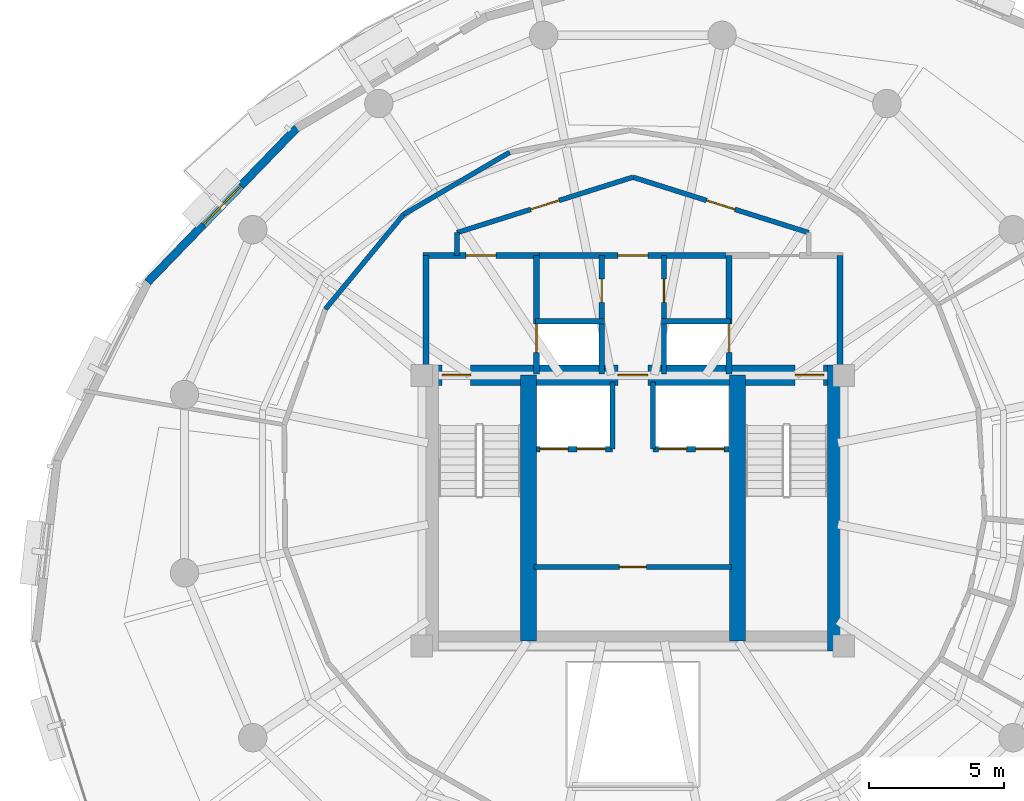
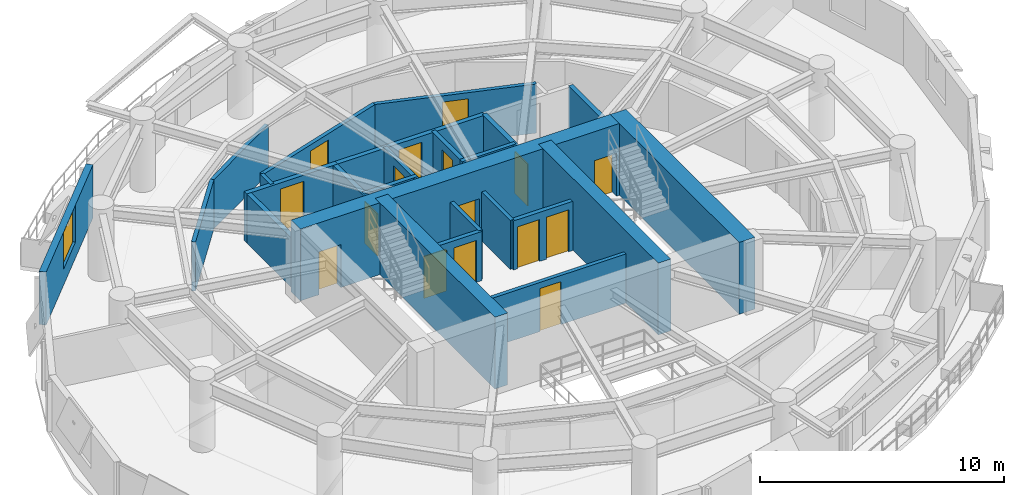
# One storey, part 10 of 14: 25 walls, 16 doors, 1 window, 17 openings.
"""IFC4 building model written with IfcOpenShell, lengths in metres."""

from ifc_helpers import new_model, si_unit, direction, frame, frame_2d, origin, place, context, subcontext, project, spatial, rectangle, extrude, material, layer, layer_set, type_object, element, fill, save


model = new_model("IFC4")

# Units and contexts
model_context = context("Model", 3, precision=1e-05, world=origin(), true_north=direction((0.0, 1.0)))
body_context = subcontext(model_context, "Body", "Model", "MODEL_VIEW")
ifc_project = project(units=[si_unit("LENGTHUNIT", "METRE"), si_unit("AREAUNIT", "SQUARE_METRE"), si_unit("VOLUMEUNIT", "CUBIC_METRE"), si_unit("PLANEANGLEUNIT", "RADIAN"), si_unit("MASSUNIT", "GRAM", prefix="KILO"), si_unit("THERMODYNAMICTEMPERATUREUNIT", "KELVIN"), si_unit("POWERUNIT", "WATT")], contexts=[model_context])

# Site, building, storey
site_placement = place(None, origin())
site = spatial("IfcSite", under=ifc_project, at=site_placement, CompositionType="ELEMENT")
building_placement = place(site_placement, origin())
building = spatial("IfcBuilding", under=site, at=building_placement, Name="Ocrelia Relay Tower", CompositionType="ELEMENT")
storey_placement = place(building_placement, frame((0.0, 0.0, 162.800048828125)))
storey = spatial("IfcBuildingStorey", under=building, at=storey_placement, Name="L38", CompositionType="ELEMENT", Elevation=162.800048828125)

# Wall, openings, doors
ifc_material_1 = material(Name="Concrete C60/75", Category="concrete")
ifc_layer_1 = layer(ifc_material_1, 0.75, Name="Concrete C60/75")
ifc_layer_set_1 = layer_set([ifc_layer_1], Name="Concrete C60/75")
wall_type_1 = type_object("IfcWallType", Name="CW-CORE-750", PredefinedType="SHEAR", material=ifc_layer_set_1)
wall_1_placement = place(storey_placement, frame((26.072021484375, 30.012939453125, 0.0), z_axis=(0.0, 0.0, 1.0), x_axis=(1.0, 0.0, 0.0)))
wall_1 = element("IfcWall", 1, at=wall_1_placement, inside=storey, type_object=wall_type_1, Name="L38 Core Shear Wall N", PredefinedType="SHEAR", context=body_context, shape_type="SweptSolid", body=[
    extrude(rectangle(XDim=15.865966796875, YDim=0.75, at=frame_2d((7.93310546875, 0.0))), origin(), (0.0, 0.0, 1.0), 3.599853515625),
])
opening_1_placement = place(wall_1_placement, frame((0.8779296875, 0.0, 0.0)))
opening_1 = element("IfcOpeningElement", 2, at=opening_1_placement, cuts=wall_1, Name="Opening D-FD90", PredefinedType="OPENING", context=body_context, shape_type="SweptSolid", body=[
    extrude(rectangle(XDim=1.050048828125, YDim=2.14990234375, at=frame_2d((0.52490234375, 1.074951171875))), frame((0.0, 0.385009765625, 0.0), z_axis=(0.0, -1.0, 0.0), x_axis=(1.0, 0.0, 0.0)), (0.0, 0.0, 1.0), 0.77001953125),
])
opening_2_placement = place(wall_1_placement, frame((13.927978515625, 0.0, 0.0)))
opening_2 = element("IfcOpeningElement", 3, at=opening_2_placement, cuts=wall_1, Name="Opening D-FD90", PredefinedType="OPENING", context=body_context, shape_type="SweptSolid", body=[
    extrude(rectangle(XDim=1.050048828125, YDim=2.14990234375, at=frame_2d((0.52490234375, 1.074951171875))), frame((0.0, 0.385009765625, 0.0), z_axis=(0.0, -1.0, 0.0), x_axis=(1.0, 0.0, 0.0)), (0.0, 0.0, 1.0), 0.77001953125),
])
opening_3_placement = place(wall_1_placement, frame((7.3779296875, 0.0, 0.0)))
opening_3 = element("IfcOpeningElement", 4, at=opening_3_placement, cuts=wall_1, Name="Opening D-FD60", PredefinedType="OPENING", context=body_context, shape_type="SweptSolid", body=[
    extrude(rectangle(XDim=1.10009765625, YDim=2.14990234375, at=frame_2d((0.550048828125, 1.074951171875))), frame((0.0, 0.385009765625, 0.0), z_axis=(0.0, -1.0, 0.0), x_axis=(1.0, 0.0, 0.0)), (0.0, 0.0, 1.0), 0.77001953125),
])
ifc_material_2 = material(Name="Timber-core 60-min acoustic fire door", Category="wood")
door_type_1 = type_object("IfcDoorType", Name="DR-LOBBY-FD60-1100", OperationType="NOTDEFINED", PredefinedType="DOOR", material=ifc_material_2)
door_1_placement = place(opening_3_placement, origin())
door_1 = element("IfcDoor", 5, at=door_1_placement, inside=storey, type_object=door_type_1, Name="L38 Core Lift Lobby North Fire Door", OperationType="SINGLE_SWING_LEFT", OverallHeight=2.14990234375, OverallWidth=1.10009765625, PredefinedType="DOOR", context=body_context, shape_type="SweptSolid", body=[
    extrude(rectangle(XDim=1.10009765625, YDim=2.14990234375, at=frame_2d((0.550048828125, 1.074951171875))), frame((0.0, 0.02490234375, 0.0), z_axis=(0.0, -1.0, 0.0), x_axis=(1.0, 0.0, 0.0)), (0.0, 0.0, 1.0), 0.050048828125),
])
fill(opening_3, door_1)
ifc_material_3 = material(Name="Steel S355 90-min fire door", Category="steel")
door_type_2 = type_object("IfcDoorType", Name="DR-STAIR-FD90-1050", OperationType="NOTDEFINED", PredefinedType="DOOR", material=ifc_material_3)
door_2_placement = place(opening_1_placement, origin())
door_2 = element("IfcDoor", 6, at=door_2_placement, inside=storey, type_object=door_type_2, Name="L38 Stair ST1 Fire Door", OperationType="SINGLE_SWING_LEFT", OverallHeight=2.14990234375, OverallWidth=1.050048828125, PredefinedType="DOOR", context=body_context, shape_type="SweptSolid", body=[
    extrude(rectangle(XDim=1.050048828125, YDim=2.14990234375, at=frame_2d((0.52490234375, 1.074951171875))), frame((0.0, 0.02490234375, 0.0), z_axis=(0.0, -1.0, 0.0), x_axis=(1.0, 0.0, 0.0)), (0.0, 0.0, 1.0), 0.050048828125),
])
fill(opening_1, door_2)
door_3_placement = place(opening_2_placement, origin())
door_3 = element("IfcDoor", 7, at=door_3_placement, inside=storey, type_object=door_type_2, Name="L38 Stair ST2 Fire Door", OperationType="SINGLE_SWING_RIGHT", OverallHeight=2.14990234375, OverallWidth=1.050048828125, PredefinedType="DOOR", context=body_context, shape_type="SweptSolid", body=[
    extrude(rectangle(XDim=1.050048828125, YDim=2.14990234375, at=frame_2d((0.52490234375, 1.074951171875))), frame((0.0, 0.02490234375, 0.0), z_axis=(0.0, -1.0, 0.0), x_axis=(1.0, 0.0, 0.0)), (0.0, 0.0, 1.0), 0.050048828125),
])
fill(opening_2, door_3)

# Walls
wall_2_placement = place(storey_placement, frame((41.56298828125, 19.81201171875, 0.0), z_axis=(0.0, 0.0, 1.0), x_axis=(0.0, 1.0, 0.0)))
element("IfcWall", 8, at=wall_2_placement, inside=storey, type_object=wall_type_1, Name="L38 Core Shear Wall E", PredefinedType="SHEAR", context=body_context, shape_type="SweptSolid", body=[
    extrude(rectangle(XDim=10.575927734375, YDim=0.75, at=frame_2d((5.2880859375, 0.0))), origin(), (0.0, 0.0, 1.0), 3.599853515625),
])
for number, where, z_axis, x_axis, name in (
    (9, (30.137939453125, 20.18701171875, 0.0), (0.0, 0.0, 1.0), (0.0, 1.0, 0.0), "L38 Core Shear Wall SPW"),
    (10, (37.8720703125, 20.18701171875, 0.0), (0.0, 0.0, 1.0), (0.0, 1.0, 0.0), "L38 Core Shear Wall SPE"),
):
    element("IfcWall", number, at=place(storey_placement, frame(where, z_axis=z_axis, x_axis=x_axis)), inside=storey, type_object=wall_type_1, Name=name, PredefinedType="SHEAR", context=body_context, shape_type="SweptSolid", body=[
        extrude(rectangle(XDim=9.825927734375, YDim=0.60009765625, at=frame_2d((4.9130859375, 0.0))), origin(), (0.0, 0.0, 1.0), 3.599853515625),
    ])

# Wall, opening, door
ifc_material_4 = material(Name="Gypsum Fireboard Partition EI60", Category="gypsum")
ifc_layer_2 = layer(ifc_material_4, 0.179931640625, Name="Gypsum Fireboard Partition EI60")
ifc_layer_set_2 = layer_set([ifc_layer_2], Name="Gypsum Fireboard Partition EI60")
wall_type_2 = type_object("IfcWallType", Name="W-CORR-EI60-180", PredefinedType="PARTITIONING", material=ifc_layer_set_2)
wall_3_placement = place(storey_placement, frame((30.35009765625, 22.919921875, 0.0), z_axis=(0.0, 0.0, 1.0), x_axis=(1.0, 0.0, 0.0)))
wall_3 = element("IfcWall", 11, at=wall_3_placement, inside=storey, type_object=wall_type_2, Name="L38 Reclaimed Core Room Partition", PredefinedType="PARTITIONING", context=body_context, shape_type="SweptSolid", body=[
    extrude(rectangle(XDim=7.2998046875, YDim=0.179931640625, at=frame_2d((3.64990234375, 0.0))), origin(), (0.0, 0.0, 1.0), 2.4599609375),
])
opening_4_placement = place(wall_3_placement, frame((3.14990234375, 0.0, 0.0)))
opening_4 = element("IfcOpeningElement", 12, at=opening_4_placement, cuts=wall_3, Name="Opening D-RM100", PredefinedType="OPENING", context=body_context, shape_type="SweptSolid", body=[
    extrude(rectangle(XDim=1.0, YDim=2.14990234375, at=frame_2d((0.5, 1.074951171875))), frame((0.0, 0.10009765625, 0.0), z_axis=(0.0, -1.0, 0.0), x_axis=(1.0, 0.0, 0.0)), (0.0, 0.0, 1.0), 0.199951171875),
])
ifc_material_5 = material(Name="Acoustic oak veneer fire door", Category="wood")
door_type_3 = type_object("IfcDoorType", Name="DR-ROOM-FD60-1000", OperationType="NOTDEFINED", PredefinedType="DOOR", material=ifc_material_5)
door_4_placement = place(opening_4_placement, origin())
door_4 = element("IfcDoor", 13, at=door_4_placement, inside=storey, type_object=door_type_3, Name="L38 Calibration Laboratory Door", OperationType="SINGLE_SWING_LEFT", OverallHeight=2.14990234375, OverallWidth=1.0, PredefinedType="DOOR", context=body_context, shape_type="SweptSolid", body=[
    extrude(rectangle(XDim=1.0, YDim=2.14990234375, at=frame_2d((0.5, 1.074951171875))), frame((0.0, 0.02490234375, 0.0), z_axis=(0.0, -1.0, 0.0), x_axis=(1.0, 0.0, 0.0)), (0.0, 0.0, 1.0), 0.050048828125),
])
fill(opening_4, door_4)

# Wall
wall_4_placement = place(storey_placement, frame((27.5, 34.429931640625, 0.0), z_axis=(0.0, 0.0, 1.0), x_axis=(0.0, 1.0, 0.0)))
element("IfcWall", 14, at=wall_4_placement, inside=storey, type_object=wall_type_2, Name="L38 Smoke Lobby West Return", PredefinedType="PARTITIONING", context=body_context, shape_type="SweptSolid", body=[
    extrude(rectangle(XDim=0.85009765625, YDim=0.179931640625, at=frame_2d((0.425048828125, 0.0))), origin(), (0.0, 0.0, 1.0), 2.4599609375),
])

# Wall, opening, door
wall_5_placement = place(storey_placement, frame((27.5, 35.280029296875, 0.0), z_axis=(0.0, 0.0, 1.0), x_axis=(0.953691418528, 0.300786765376, 0.0)))
wall_5 = element("IfcWall", 15, at=wall_5_placement, inside=storey, type_object=wall_type_2, Name="L38 North Smoke Lobby W Screen Wall", PredefinedType="PARTITIONING", context=body_context, shape_type="SweptSolid", body=[
    extrude(rectangle(XDim=6.815673828125, YDim=0.179931640625, at=frame_2d((3.40771484375, 0.0))), origin(), (0.0, 0.0, 1.0), 2.4599609375),
])
opening_5_placement = place(wall_5_placement, frame((2.85791015625, 0.0, 0.0)))
opening_5 = element("IfcOpeningElement", 16, at=opening_5_placement, cuts=wall_5, Name="Opening D-FD60", PredefinedType="OPENING", context=body_context, shape_type="SweptSolid", body=[
    extrude(rectangle(XDim=1.10009765625, YDim=2.14990234375, at=frame_2d((0.550048828125, 1.074951171875))), frame((0.0, 0.10009765625, 0.0), z_axis=(0.0, -1.0, 0.0), x_axis=(1.0, 0.0, 0.0)), (0.0, 0.0, 1.0), 0.199951171875),
])
door_5_placement = place(opening_5_placement, origin())
door_5 = element("IfcDoor", 17, at=door_5_placement, inside=storey, type_object=door_type_1, Name="L38 North Smoke Lobby W Fire Door", OperationType="SINGLE_SWING_RIGHT", OverallHeight=2.14990234375, OverallWidth=1.10009765625, PredefinedType="DOOR", context=body_context, shape_type="SweptSolid", body=[
    extrude(rectangle(XDim=1.10009765625, YDim=2.14990234375, at=frame_2d((0.550048828125, 1.074951171875))), frame((0.0, 0.02490234375, 0.0), z_axis=(0.0, -1.0, 0.0), x_axis=(1.0, 0.0, 0.0)), (0.0, 0.0, 1.0), 0.050048828125),
])
fill(opening_5, door_5)

wall_6_placement = place(storey_placement, frame((34.0, 37.330078125, 0.0), z_axis=(0.0, 0.0, 1.0), x_axis=(0.953691418528, -0.300786765376, 0.0)))
wall_6 = element("IfcWall", 18, at=wall_6_placement, inside=storey, type_object=wall_type_2, Name="L38 North Smoke Lobby E Screen Wall", PredefinedType="PARTITIONING", context=body_context, shape_type="SweptSolid", body=[
    extrude(rectangle(XDim=6.815673828125, YDim=0.179931640625, at=frame_2d((3.40771484375, 0.0))), origin(), (0.0, 0.0, 1.0), 2.4599609375),
])
opening_6_placement = place(wall_6_placement, frame((2.85791015625, 0.0, 0.0)))
opening_6 = element("IfcOpeningElement", 19, at=opening_6_placement, cuts=wall_6, Name="Opening D-FD60", PredefinedType="OPENING", context=body_context, shape_type="SweptSolid", body=[
    extrude(rectangle(XDim=1.10009765625, YDim=2.14990234375, at=frame_2d((0.550048828125, 1.074951171875))), frame((0.0, 0.10009765625, 0.0), z_axis=(0.0, -1.0, 0.0), x_axis=(1.0, 0.0, 0.0)), (0.0, 0.0, 1.0), 0.199951171875),
])
door_6_placement = place(opening_6_placement, origin())
door_6 = element("IfcDoor", 20, at=door_6_placement, inside=storey, type_object=door_type_1, Name="L38 North Smoke Lobby E Fire Door", OperationType="SINGLE_SWING_LEFT", OverallHeight=2.14990234375, OverallWidth=1.10009765625, PredefinedType="DOOR", context=body_context, shape_type="SweptSolid", body=[
    extrude(rectangle(XDim=1.10009765625, YDim=2.14990234375, at=frame_2d((0.550048828125, 1.074951171875))), frame((0.0, 0.02490234375, 0.0), z_axis=(0.0, -1.0, 0.0), x_axis=(1.0, 0.0, 0.0)), (0.0, 0.0, 1.0), 0.050048828125),
])
fill(opening_6, door_6)

# Walls
for number, where, z_axis, x_axis, name in (
    (21, (29.444091796875, 38.250244140625, 0.0), (0.0, 0.0, 1.0), (-0.862519897699, -0.506023147764, 0.0), "L38 Cloud Engineering Workspace Corridor Partition 5"),
    (22, (25.529052734375, 35.953369140625, 0.0), (0.0, 0.0, 1.0), (-0.637408090856, -0.770526395207, 0.0), "L38 Cloud Engineering Workspace Corridor Partition 6"),
):
    element("IfcWall", number, at=place(storey_placement, frame(where, z_axis=z_axis, x_axis=x_axis)), inside=storey, type_object=wall_type_2, Name=name, PredefinedType="PARTITIONING", context=body_context, shape_type="SweptSolid", body=[
        extrude(rectangle(XDim=4.5390625, YDim=0.179931640625, at=frame_2d((2.26953125, 0.0))), origin(), (0.0, 0.0, 1.0), 2.4599609375),
    ])

# Wall, opening, window
ifc_material_6 = material(Name="Precast concrete C40/50 with oxide terracotta", Category="masonry")
ifc_layer_3 = layer(ifc_material_6, 0.300048828125, Name="Precast concrete C40/50 with oxide terracotta")
ifc_layer_set_3 = layer_set([ifc_layer_3], Name="Precast concrete C40/50 with oxide terracotta")
wall_type_3 = type_object("IfcWallType", Name="W-EXT-TERR-300", PredefinedType="SOLIDWALL", material=ifc_layer_set_3)
wall_7_placement = place(storey_placement, frame((21.574951171875, 39.148193359375, 0.0), z_axis=(0.0, 0.0, 1.0), x_axis=(-0.695181290332, -0.718834454915, 0.0)))
wall_7 = element("IfcWall", 23, at=wall_7_placement, inside=storey, type_object=wall_type_3, Name="L38 Oxide Terracotta Facade Wall 06", PredefinedType="SOLIDWALL", context=body_context, shape_type="SweptSolid", body=[
    extrude(rectangle(XDim=7.927001953125, YDim=0.300048828125, at=frame_2d((3.96337890625, 0.0))), origin(), (0.0, 0.0, 1.0), 2.659912109375),
])
opening_7_placement = place(wall_7_placement, frame((2.964111328125, 0.0, 0.800048828125)))
opening_7 = element("IfcOpeningElement", 24, at=opening_7_placement, cuts=wall_7, Name="Opening W-03", PredefinedType="OPENING", context=body_context, shape_type="SweptSolid", body=[
    extrude(rectangle(XDim=2.0, YDim=1.85009765625, at=frame_2d((1.0, 0.925048828125))), frame((0.0, 0.16015625, 0.0), z_axis=(0.0, -1.0, 0.0), x_axis=(1.0, 0.0, 0.0)), (0.0, 0.0, 1.0), 0.320068359375),
])
ifc_material_7 = material(Name="Clear double-glazed low-E glass", Category="glass")
window_type = type_object("IfcWindowType", Name="WIN-Z3-2000x2200", PartitioningType="DOUBLE_PANEL_VERTICAL", PredefinedType="WINDOW", material=ifc_material_7)
window_placement = place(opening_7_placement, origin())
window = element("IfcWindow", 25, at=window_placement, inside=storey, type_object=window_type, Name="L38 Facade Module Window 06", OverallHeight=1.85009765625, OverallWidth=2.0, PartitioningType="SINGLE_PANEL", PredefinedType="WINDOW", context=body_context, shape_type="SweptSolid", body=[
    extrude(rectangle(XDim=2.0, YDim=1.85009765625, at=frame_2d((1.0, 0.925048828125))), frame((0.0, 0.030029296875, 0.0), z_axis=(0.0, -1.0, 0.0), x_axis=(1.0, 0.0, 0.0)), (0.0, 0.0, 1.0), 0.06005859375),
])
fill(opening_7, window)

# Wall
ifc_material_8 = material(Name="Concrete C50/60", Category="concrete")
ifc_layer_4 = layer(ifc_material_8, 0.219970703125, Name="Concrete C50/60")
ifc_layer_set_4 = layer_set([ifc_layer_4], Name="Concrete C50/60")
wall_type_4 = type_object("IfcWallType", Name="W-FFL-EI120-220", PredefinedType="SOLIDWALL", material=ifc_layer_set_4)
wall_8_placement = place(storey_placement, frame((26.35009765625, 30.050048828125, 0.0), z_axis=(0.0, 0.0, 1.0), x_axis=(0.0, 1.0, 0.0)))
element("IfcWall", 26, at=wall_8_placement, inside=storey, type_object=wall_type_4, Name="L38 W Fire Service Lift Lobby West Wall", PredefinedType="SOLIDWALL", context=body_context, shape_type="SweptSolid", body=[
    extrude(rectangle(XDim=4.3798828125, YDim=0.219970703125, at=frame_2d((2.18994140625, 0.0))), origin(), (0.0, 0.0, 1.0), 2.4599609375),
])

# Wall, opening, door
wall_9_placement = place(storey_placement, frame((30.43994140625, 30.050048828125, 0.0), z_axis=(0.0, 0.0, 1.0), x_axis=(0.0, 1.0, 0.0)))
wall_9 = element("IfcWall", 27, at=wall_9_placement, inside=storey, type_object=wall_type_4, Name="L38 W Fire Service Lift Lobby East Wall", PredefinedType="SOLIDWALL", context=body_context, shape_type="SweptSolid", body=[
    extrude(rectangle(XDim=4.3798828125, YDim=0.219970703125, at=frame_2d((2.18994140625, 0.0))), origin(), (0.0, 0.0, 1.0), 2.4599609375),
])
opening_8_placement = place(wall_9_placement, frame((0.800048828125, 0.0, 0.0)))
opening_8 = element("IfcOpeningElement", 28, at=opening_8_placement, cuts=wall_9, Name="Opening LD-FFL1", PredefinedType="OPENING", context=body_context, shape_type="SweptSolid", body=[
    extrude(rectangle(XDim=1.050048828125, YDim=2.10009765625, at=frame_2d((0.52490234375, 1.050048828125))), frame((0.0, 0.1201171875, 0.0), z_axis=(0.0, -1.0, 0.0), x_axis=(1.0, 0.0, 0.0)), (0.0, 0.0, 1.0), 0.239990234375),
])
ifc_material_9 = material(Name="Brushed stainless steel S355 lift landing door", Category="steel")
door_type_4 = type_object("IfcDoorType", Name="DR-LIFT-LAND-1050", OperationType="DOUBLE_DOOR_SLIDING", PredefinedType="USERDEFINED", material=ifc_material_9)
door_7_placement = place(opening_8_placement, origin())
door_7 = element("IfcDoor", 29, at=door_7_placement, inside=storey, type_object=door_type_4, Name="L38 Firefighting Lift FFL1 Sliding Landing Door", ObjectType="LANDING DOOR", OperationType="DOUBLE_DOOR_SLIDING", OverallHeight=2.10009765625, OverallWidth=1.050048828125, PredefinedType="USERDEFINED", context=body_context, shape_type="SweptSolid", body=[
    extrude(rectangle(XDim=1.050048828125, YDim=2.10009765625, at=frame_2d((0.52490234375, 1.050048828125))), frame((0.0, 0.02490234375, 0.0), z_axis=(0.0, -1.0, 0.0), x_axis=(1.0, 0.0, 0.0)), (0.0, 0.0, 1.0), 0.050048828125),
])
fill(opening_8, door_7)

wall_10_placement = place(storey_placement, frame((26.239990234375, 34.429931640625, 0.0), z_axis=(0.0, 0.0, 1.0), x_axis=(1.0, 0.0, 0.0)))
wall_10 = element("IfcWall", 30, at=wall_10_placement, inside=storey, type_object=wall_type_4, Name="L38 W Fire Service Lift Lobby North Wall", PredefinedType="SOLIDWALL", context=body_context, shape_type="SweptSolid", body=[
    extrude(rectangle(XDim=4.31005859375, YDim=0.219970703125, at=frame_2d((2.155029296875, 0.0))), origin(), (0.0, 0.0, 1.0), 2.4599609375),
])
opening_9_placement = place(wall_10_placement, frame((1.60009765625, 0.0, 0.0)))
opening_9 = element("IfcOpeningElement", 31, at=opening_9_placement, cuts=wall_10, Name="Opening D-FD60", PredefinedType="OPENING", context=body_context, shape_type="SweptSolid", body=[
    extrude(rectangle(XDim=1.10009765625, YDim=2.14990234375, at=frame_2d((0.550048828125, 1.074951171875))), frame((0.0, 0.1201171875, 0.0), z_axis=(0.0, -1.0, 0.0), x_axis=(1.0, 0.0, 0.0)), (0.0, 0.0, 1.0), 0.239990234375),
])
door_8_placement = place(opening_9_placement, origin())
door_8 = element("IfcDoor", 32, at=door_8_placement, inside=storey, type_object=door_type_1, Name="L38 W Fire Service Lift Lobby Exit Door", OperationType="SINGLE_SWING_RIGHT", OverallHeight=2.14990234375, OverallWidth=1.10009765625, PredefinedType="DOOR", context=body_context, shape_type="SweptSolid", body=[
    extrude(rectangle(XDim=1.10009765625, YDim=2.14990234375, at=frame_2d((0.550048828125, 1.074951171875))), frame((0.0, 0.02490234375, 0.0), z_axis=(0.0, -1.0, 0.0), x_axis=(1.0, 0.0, 0.0)), (0.0, 0.0, 1.0), 0.050048828125),
])
fill(opening_9, door_8)

wall_11_placement = place(storey_placement, frame((37.56005859375, 30.050048828125, 0.0), z_axis=(0.0, 0.0, 1.0), x_axis=(0.0, 1.0, 0.0)))
wall_11 = element("IfcWall", 33, at=wall_11_placement, inside=storey, type_object=wall_type_4, Name="L38 E Fire Service Lift Lobby West Wall", PredefinedType="SOLIDWALL", context=body_context, shape_type="SweptSolid", body=[
    extrude(rectangle(XDim=4.3798828125, YDim=0.219970703125, at=frame_2d((2.18994140625, 0.0))), origin(), (0.0, 0.0, 1.0), 2.4599609375),
])
opening_10_placement = place(wall_11_placement, frame((0.800048828125, 0.0, 0.0)))
opening_10 = element("IfcOpeningElement", 34, at=opening_10_placement, cuts=wall_11, Name="Opening LD-FFL2", PredefinedType="OPENING", context=body_context, shape_type="SweptSolid", body=[
    extrude(rectangle(XDim=1.050048828125, YDim=2.10009765625, at=frame_2d((0.52490234375, 1.050048828125))), frame((0.0, 0.1201171875, 0.0), z_axis=(0.0, -1.0, 0.0), x_axis=(1.0, 0.0, 0.0)), (0.0, 0.0, 1.0), 0.239990234375),
])
door_9_placement = place(opening_10_placement, origin())
door_9 = element("IfcDoor", 35, at=door_9_placement, inside=storey, type_object=door_type_4, Name="L38 Firefighting Lift FFL2 Sliding Landing Door", ObjectType="LANDING DOOR", OperationType="DOUBLE_DOOR_SLIDING", OverallHeight=2.10009765625, OverallWidth=1.050048828125, PredefinedType="USERDEFINED", context=body_context, shape_type="SweptSolid", body=[
    extrude(rectangle(XDim=1.050048828125, YDim=2.10009765625, at=frame_2d((0.52490234375, 1.050048828125))), frame((0.0, 0.02490234375, 0.0), z_axis=(0.0, -1.0, 0.0), x_axis=(1.0, 0.0, 0.0)), (0.0, 0.0, 1.0), 0.050048828125),
])
fill(opening_10, door_9)

# Wall
wall_12_placement = place(storey_placement, frame((41.64990234375, 30.050048828125, 0.0), z_axis=(0.0, 0.0, 1.0), x_axis=(0.0, 1.0, 0.0)))
element("IfcWall", 36, at=wall_12_placement, inside=storey, type_object=wall_type_4, Name="L38 E Fire Service Lift Lobby East Wall", PredefinedType="SOLIDWALL", context=body_context, shape_type="SweptSolid", body=[
    extrude(rectangle(XDim=4.3798828125, YDim=0.219970703125, at=frame_2d((2.18994140625, 0.0))), origin(), (0.0, 0.0, 1.0), 2.4599609375),
])

# Wall, opening, door
wall_13_placement = place(storey_placement, frame((30.43994140625, 34.429931640625, 0.0), z_axis=(0.0, 0.0, 1.0), x_axis=(1.0, 0.0, 0.0)))
wall_13 = element("IfcWall", 37, at=wall_13_placement, inside=storey, type_object=wall_type_4, Name="L38 North Core Vestibule Wall", PredefinedType="SOLIDWALL", context=body_context, shape_type="SweptSolid", body=[
    extrude(rectangle(XDim=7.1201171875, YDim=0.219970703125, at=frame_2d((3.56005859375, 0.0))), origin(), (0.0, 0.0, 1.0), 2.4599609375),
])
opening_11_placement = place(wall_13_placement, frame((3.010009765625, 0.0, 0.0)))
opening_11 = element("IfcOpeningElement", 38, at=opening_11_placement, cuts=wall_13, Name="Opening D-FD60", PredefinedType="OPENING", context=body_context, shape_type="SweptSolid", body=[
    extrude(rectangle(XDim=1.10009765625, YDim=2.14990234375, at=frame_2d((0.550048828125, 1.074951171875))), frame((0.0, 0.1201171875, 0.0), z_axis=(0.0, -1.0, 0.0), x_axis=(1.0, 0.0, 0.0)), (0.0, 0.0, 1.0), 0.239990234375),
])
door_10_placement = place(opening_11_placement, origin())
door_10 = element("IfcDoor", 39, at=door_10_placement, inside=storey, type_object=door_type_1, Name="L38 North Core Vestibule Corridor Door", OperationType="SINGLE_SWING_RIGHT", OverallHeight=2.14990234375, OverallWidth=1.10009765625, PredefinedType="DOOR", context=body_context, shape_type="SweptSolid", body=[
    extrude(rectangle(XDim=1.10009765625, YDim=2.14990234375, at=frame_2d((0.550048828125, 1.074951171875))), frame((0.0, 0.02490234375, 0.0), z_axis=(0.0, -1.0, 0.0), x_axis=(1.0, 0.0, 0.0)), (0.0, 0.0, 1.0), 0.050048828125),
])
fill(opening_11, door_10)

# Wall
ifc_layer_5 = layer(ifc_material_8, 0.199951171875, Name="Concrete C50/60")
ifc_layer_set_5 = layer_set([ifc_layer_5], Name="Concrete C50/60")
wall_type_5 = type_object("IfcWallType", Name="W-SHAFT-EI120-200", PredefinedType="SOLIDWALL", material=ifc_layer_set_5)
wall_14_placement = place(storey_placement, frame((30.39990234375, 32.0, 0.0), z_axis=(0.0, 0.0, 1.0), x_axis=(1.0, 0.0, 0.0)))
element("IfcWall", 40, at=wall_14_placement, inside=storey, type_object=wall_type_5, Name="L38 FFL1 Hoistway North Wall", PredefinedType="SOLIDWALL", context=body_context, shape_type="SweptSolid", body=[
    extrude(rectangle(XDim=2.550048828125, YDim=0.199951171875, at=frame_2d((1.27490234375, 0.0))), origin(), (0.0, 0.0, 1.0), 2.4599609375),
])

# Wall, opening, door
wall_15_placement = place(storey_placement, frame((32.85009765625, 30.050048828125, 0.0), z_axis=(0.0, 0.0, 1.0), x_axis=(0.0, 1.0, 0.0)))
wall_15 = element("IfcWall", 41, at=wall_15_placement, inside=storey, type_object=wall_type_5, Name="L38 FFL1 and Service Vestibule Wall", PredefinedType="SOLIDWALL", context=body_context, shape_type="SweptSolid", body=[
    extrude(rectangle(XDim=4.3798828125, YDim=0.199951171875, at=frame_2d((2.18994140625, 0.0))), origin(), (0.0, 0.0, 1.0), 2.4599609375),
])
opening_12_placement = place(wall_15_placement, frame((2.64990234375, 0.0, 0.0)))
opening_12 = element("IfcOpeningElement", 42, at=opening_12_placement, cuts=wall_15, Name="Opening D-RS86", PredefinedType="OPENING", context=body_context, shape_type="SweptSolid", body=[
    extrude(rectangle(XDim=0.860107421875, YDim=2.050048828125, at=frame_2d((0.43017578125, 1.02490234375))), frame((0.0, 0.10986328125, 0.0), z_axis=(0.0, -1.0, 0.0), x_axis=(1.0, 0.0, 0.0)), (0.0, 0.0, 1.0), 0.219970703125),
])
ifc_material_10 = material(Name="Steel S355 riser access fire door", Category="steel")
door_type_5 = type_object("IfcDoorType", Name="DR-RISER-TRAP-860", OperationType="NOTDEFINED", PredefinedType="TRAPDOOR", material=ifc_material_10)
door_11_placement = place(opening_12_placement, origin())
door_11 = element("IfcDoor", 43, at=door_11_placement, inside=storey, type_object=door_type_5, Name="L38 Core Support Room W Door", OperationType="SINGLE_SWING_LEFT", OverallHeight=2.050048828125, OverallWidth=0.860107421875, PredefinedType="TRAPDOOR", context=body_context, shape_type="SweptSolid", body=[
    extrude(rectangle(XDim=0.860107421875, YDim=2.050048828125, at=frame_2d((0.43017578125, 1.02490234375))), frame((0.0, 0.02490234375, 0.0), z_axis=(0.0, -1.0, 0.0), x_axis=(1.0, 0.0, 0.0)), (0.0, 0.0, 1.0), 0.050048828125),
])
fill(opening_12, door_11)

# Wall
wall_16_placement = place(storey_placement, frame((35.050048828125, 32.0, 0.0), z_axis=(0.0, 0.0, 1.0), x_axis=(1.0, 0.0, 0.0)))
element("IfcWall", 44, at=wall_16_placement, inside=storey, type_object=wall_type_5, Name="L38 FFL2 Hoistway North Wall", PredefinedType="SOLIDWALL", context=body_context, shape_type="SweptSolid", body=[
    extrude(rectangle(XDim=2.550048828125, YDim=0.199951171875, at=frame_2d((1.27490234375, 0.0))), origin(), (0.0, 0.0, 1.0), 2.4599609375),
])

# Wall, opening, door
wall_17_placement = place(storey_placement, frame((35.14990234375, 30.050048828125, 0.0), z_axis=(0.0, 0.0, 1.0), x_axis=(0.0, 1.0, 0.0)))
wall_17 = element("IfcWall", 45, at=wall_17_placement, inside=storey, type_object=wall_type_5, Name="L38 FFL2 and Service Vestibule Wall", PredefinedType="SOLIDWALL", context=body_context, shape_type="SweptSolid", body=[
    extrude(rectangle(XDim=4.3798828125, YDim=0.199951171875, at=frame_2d((2.18994140625, 0.0))), origin(), (0.0, 0.0, 1.0), 2.4599609375),
])
opening_13_placement = place(wall_17_placement, frame((2.64990234375, 0.0, 0.0)))
opening_13 = element("IfcOpeningElement", 46, at=opening_13_placement, cuts=wall_17, Name="Opening D-RS86", PredefinedType="OPENING", context=body_context, shape_type="SweptSolid", body=[
    extrude(rectangle(XDim=0.860107421875, YDim=2.050048828125, at=frame_2d((0.43017578125, 1.02490234375))), frame((0.0, 0.10986328125, 0.0), z_axis=(0.0, -1.0, 0.0), x_axis=(1.0, 0.0, 0.0)), (0.0, 0.0, 1.0), 0.219970703125),
])
door_12_placement = place(opening_13_placement, origin())
door_12 = element("IfcDoor", 47, at=door_12_placement, inside=storey, type_object=door_type_5, Name="L38 Core Support Room E Door", OperationType="SINGLE_SWING_LEFT", OverallHeight=2.050048828125, OverallWidth=0.860107421875, PredefinedType="TRAPDOOR", context=body_context, shape_type="SweptSolid", body=[
    extrude(rectangle(XDim=0.860107421875, YDim=2.050048828125, at=frame_2d((0.43017578125, 1.02490234375))), frame((0.0, 0.02490234375, 0.0), z_axis=(0.0, -1.0, 0.0), x_axis=(1.0, 0.0, 0.0)), (0.0, 0.0, 1.0), 0.050048828125),
])
fill(opening_13, door_12)

# Wall, openings, doors
wall_18_placement = place(storey_placement, frame((30.43994140625, 27.280029296875, 0.0), z_axis=(0.0, 0.0, 1.0), x_axis=(1.0, 0.0, 0.0)))
wall_18 = element("IfcWall", 48, at=wall_18_placement, inside=storey, type_object=wall_type_5, Name="L38 High-Rise Lift Hoistway Wall W", PredefinedType="SOLIDWALL", context=body_context, shape_type="SweptSolid", body=[
    extrude(rectangle(XDim=2.81005859375, YDim=0.199951171875, at=frame_2d((1.405029296875, 0.0))), origin(), (0.0, 0.0, 1.0), 2.4599609375),
])
opening_14_placement = place(wall_18_placement, frame((0.1201171875, 0.0, 0.0)))
opening_14 = element("IfcOpeningElement", 49, at=opening_14_placement, cuts=wall_18, Name="Opening LD-PL5", PredefinedType="OPENING", context=body_context, shape_type="SweptSolid", body=[
    extrude(rectangle(XDim=1.050048828125, YDim=2.10009765625, at=frame_2d((0.52490234375, 1.050048828125))), frame((0.0, 0.10986328125, 0.0), z_axis=(0.0, -1.0, 0.0), x_axis=(1.0, 0.0, 0.0)), (0.0, 0.0, 1.0), 0.219970703125),
])
opening_15_placement = place(wall_18_placement, frame((1.5, 0.0, 0.0)))
opening_15 = element("IfcOpeningElement", 50, at=opening_15_placement, cuts=wall_18, Name="Opening LD-PL6", PredefinedType="OPENING", context=body_context, shape_type="SweptSolid", body=[
    extrude(rectangle(XDim=1.050048828125, YDim=2.10009765625, at=frame_2d((0.52490234375, 1.050048828125))), frame((0.0, 0.10986328125, 0.0), z_axis=(0.0, -1.0, 0.0), x_axis=(1.0, 0.0, 0.0)), (0.0, 0.0, 1.0), 0.219970703125),
])
door_13_placement = place(opening_14_placement, origin())
door_13 = element("IfcDoor", 51, at=door_13_placement, inside=storey, type_object=door_type_4, Name="L38 High-Rise Lift PL5 Sliding Landing Door", ObjectType="LANDING DOOR", OperationType="DOUBLE_DOOR_SLIDING", OverallHeight=2.10009765625, OverallWidth=1.050048828125, PredefinedType="USERDEFINED", context=body_context, shape_type="SweptSolid", body=[
    extrude(rectangle(XDim=1.050048828125, YDim=2.10009765625, at=frame_2d((0.52490234375, 1.050048828125))), frame((0.0, 0.02490234375, 0.0), z_axis=(0.0, -1.0, 0.0), x_axis=(1.0, 0.0, 0.0)), (0.0, 0.0, 1.0), 0.050048828125),
])
fill(opening_14, door_13)
door_14_placement = place(opening_15_placement, origin())
door_14 = element("IfcDoor", 52, at=door_14_placement, inside=storey, type_object=door_type_4, Name="L38 High-Rise Lift PL6 Sliding Landing Door", ObjectType="LANDING DOOR", OperationType="DOUBLE_DOOR_SLIDING", OverallHeight=2.10009765625, OverallWidth=1.050048828125, PredefinedType="USERDEFINED", context=body_context, shape_type="SweptSolid", body=[
    extrude(rectangle(XDim=1.050048828125, YDim=2.10009765625, at=frame_2d((0.52490234375, 1.050048828125))), frame((0.0, 0.02490234375, 0.0), z_axis=(0.0, -1.0, 0.0), x_axis=(1.0, 0.0, 0.0)), (0.0, 0.0, 1.0), 0.050048828125),
])
fill(opening_15, door_14)

# Wall
wall_19_placement = place(storey_placement, frame((33.25, 27.280029296875, 0.0), z_axis=(0.0, 0.0, 1.0), x_axis=(0.0, 1.0, 0.0)))
element("IfcWall", 53, at=wall_19_placement, inside=storey, type_object=wall_type_5, Name="L38 High-Rise Lift Throat Wall W", PredefinedType="SOLIDWALL", context=body_context, shape_type="SweptSolid", body=[
    extrude(rectangle(XDim=2.469970703125, YDim=0.179931640625, at=frame_2d((1.23486328125, 0.0))), origin(), (0.0, 0.0, 1.0), 2.4599609375),
])

# Wall, openings, doors
wall_20_placement = place(storey_placement, frame((34.75, 27.280029296875, 0.0), z_axis=(0.0, 0.0, 1.0), x_axis=(1.0, 0.0, 0.0)))
wall_20 = element("IfcWall", 54, at=wall_20_placement, inside=storey, type_object=wall_type_5, Name="L38 High-Rise Lift Hoistway Wall E", PredefinedType="SOLIDWALL", context=body_context, shape_type="SweptSolid", body=[
    extrude(rectangle(XDim=2.81005859375, YDim=0.199951171875, at=frame_2d((1.405029296875, 0.0))), origin(), (0.0, 0.0, 1.0), 2.4599609375),
])
opening_16_placement = place(wall_20_placement, frame((0.18994140625, 0.0, 0.0)))
opening_16 = element("IfcOpeningElement", 55, at=opening_16_placement, cuts=wall_20, Name="Opening LD-PL7", PredefinedType="OPENING", context=body_context, shape_type="SweptSolid", body=[
    extrude(rectangle(XDim=1.050048828125, YDim=2.10009765625, at=frame_2d((0.52490234375, 1.050048828125))), frame((0.0, 0.10986328125, 0.0), z_axis=(0.0, -1.0, 0.0), x_axis=(1.0, 0.0, 0.0)), (0.0, 0.0, 1.0), 0.219970703125),
])
opening_17_placement = place(wall_20_placement, frame((1.570068359375, 0.0, 0.0)))
opening_17 = element("IfcOpeningElement", 56, at=opening_17_placement, cuts=wall_20, Name="Opening LD-PL8", PredefinedType="OPENING", context=body_context, shape_type="SweptSolid", body=[
    extrude(rectangle(XDim=1.050048828125, YDim=2.10009765625, at=frame_2d((0.52490234375, 1.050048828125))), frame((0.0, 0.10986328125, 0.0), z_axis=(0.0, -1.0, 0.0), x_axis=(1.0, 0.0, 0.0)), (0.0, 0.0, 1.0), 0.219970703125),
])
door_15_placement = place(opening_16_placement, origin())
door_15 = element("IfcDoor", 57, at=door_15_placement, inside=storey, type_object=door_type_4, Name="L38 High-Rise Lift PL7 Sliding Landing Door", ObjectType="LANDING DOOR", OperationType="DOUBLE_DOOR_SLIDING", OverallHeight=2.10009765625, OverallWidth=1.050048828125, PredefinedType="USERDEFINED", context=body_context, shape_type="SweptSolid", body=[
    extrude(rectangle(XDim=1.050048828125, YDim=2.10009765625, at=frame_2d((0.52490234375, 1.050048828125))), frame((0.0, 0.02490234375, 0.0), z_axis=(0.0, -1.0, 0.0), x_axis=(1.0, 0.0, 0.0)), (0.0, 0.0, 1.0), 0.050048828125),
])
fill(opening_16, door_15)
door_16_placement = place(opening_17_placement, origin())
door_16 = element("IfcDoor", 58, at=door_16_placement, inside=storey, type_object=door_type_4, Name="L38 High-Rise Lift PL8 Sliding Landing Door", ObjectType="LANDING DOOR", OperationType="DOUBLE_DOOR_SLIDING", OverallHeight=2.10009765625, OverallWidth=1.050048828125, PredefinedType="USERDEFINED", context=body_context, shape_type="SweptSolid", body=[
    extrude(rectangle(XDim=1.050048828125, YDim=2.10009765625, at=frame_2d((0.52490234375, 1.050048828125))), frame((0.0, 0.02490234375, 0.0), z_axis=(0.0, -1.0, 0.0), x_axis=(1.0, 0.0, 0.0)), (0.0, 0.0, 1.0), 0.050048828125),
])
fill(opening_17, door_16)

# Wall
wall_21_placement = place(storey_placement, frame((34.75, 27.280029296875, 0.0), z_axis=(0.0, 0.0, 1.0), x_axis=(0.0, 1.0, 0.0)))
element("IfcWall", 59, at=wall_21_placement, inside=storey, type_object=wall_type_5, Name="L38 High-Rise Lift Throat Wall E", PredefinedType="SOLIDWALL", context=body_context, shape_type="SweptSolid", body=[
    extrude(rectangle(XDim=2.469970703125, YDim=0.179931640625, at=frame_2d((1.23486328125, 0.0))), origin(), (0.0, 0.0, 1.0), 2.4599609375),
])

save(model, "model.ifc")
